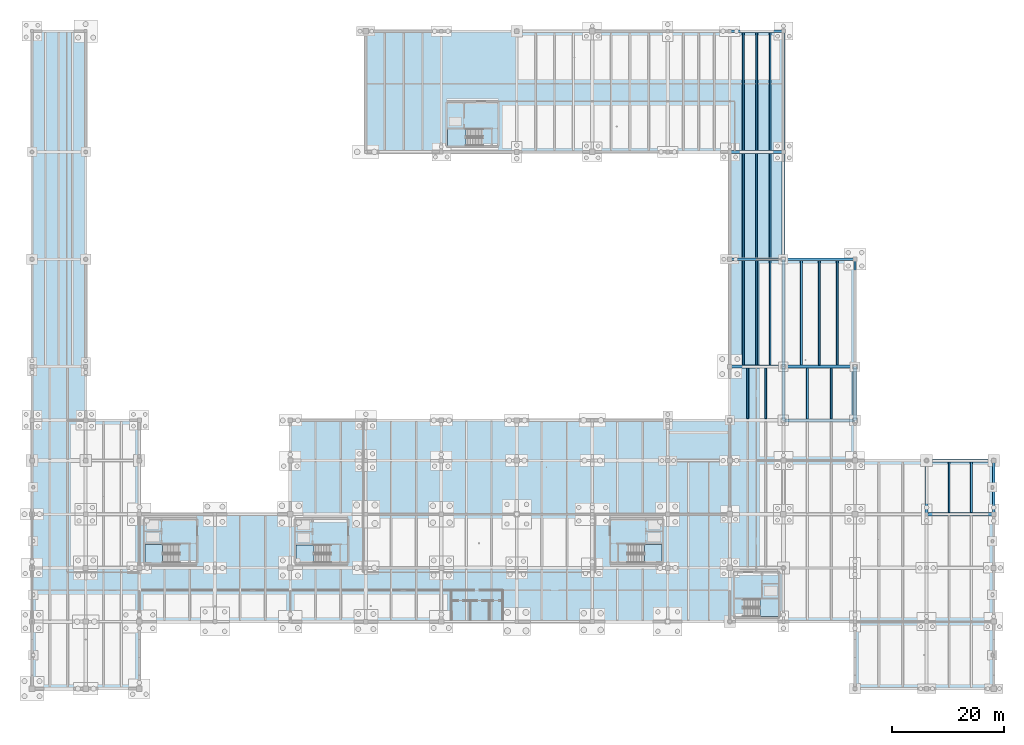
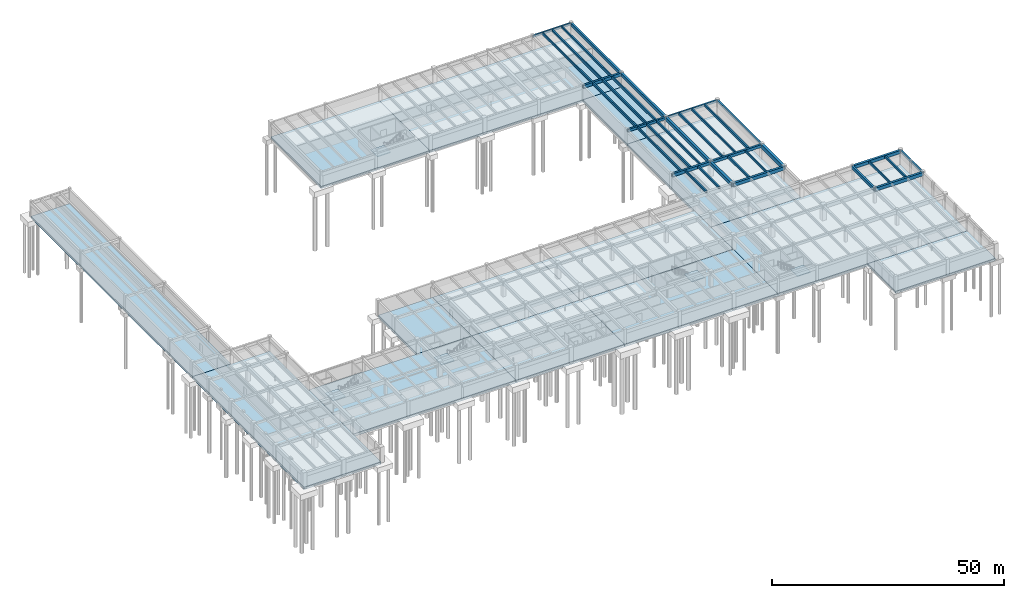
# One storey, part 13 of 41: 35 beams, 19 slabs, 5 elements without a shape of their own.
"""IFC4 building model written with IfcOpenShell, lengths in metres."""

from ifc_helpers import new_model, si_unit, direction, frame, origin, origin_2d, place, context, subcontext, project, spatial, polyline, rectangle, outline, extrude, material, layer, layer_set, material_profile, profile_set, type_object, element, aggregate, save


model = new_model("IFC4")

# Units and contexts
model_context = context("Model", 3, precision=1e-05, world=origin(), true_north=direction((0.0, 1.0)))
body_context = subcontext(model_context, "Body", "Model", "MODEL_VIEW")
ifc_project = project(units=[si_unit("LENGTHUNIT", "METRE"), si_unit("AREAUNIT", "SQUARE_METRE"), si_unit("VOLUMEUNIT", "CUBIC_METRE"), si_unit("PLANEANGLEUNIT", "RADIAN"), si_unit("MASSUNIT", "GRAM", prefix="KILO")], contexts=[model_context])

# Site, building, storey
site_placement = place(None, origin())
site = spatial("IfcSite", under=ifc_project, at=site_placement, CompositionType="ELEMENT")
building_placement = place(site_placement, origin())
building = spatial("IfcBuilding", under=site, at=building_placement, Name="Fikremerkos Civic Library", CompositionType="ELEMENT")
storey_placement = place(building_placement, frame((0.0, 0.0, -8.39990234375)))
storey = spatial("IfcBuildingStorey", under=building, at=storey_placement, Name="B02", CompositionType="ELEMENT", Elevation=-8.39990234375)

# Beams
ifc_material_1 = material(Name="Concrete C40/50", Category="concrete")
ifc_material_profile_1 = material_profile(ifc_material_1, rectangle(XDim=0.35009765625, YDim=0.60009765625, at=origin_2d()), Name="RC 350x600")
ifc_profile_set_1 = profile_set([ifc_material_profile_1], Name="Concrete C40/50")
beam_type_1 = type_object("IfcBeamType", Name="Floor joist JS-01 RC 350x600", PredefinedType="JOIST", material=ifc_profile_set_1)
beam_1_placement = place(storey_placement, frame((131.199951171875, 48.300048828125, 3.599853515625), z_axis=(0.0, 1.0, 0.0), x_axis=(-1.0, 0.0, 0.0)))
element("IfcBeam", 1, at=beam_1_placement, inside=storey, type_object=beam_type_1, Name="Floor joist JS-01 B02 #99", PredefinedType="JOIST", context=body_context, shape_type="SweptSolid", body=[
    extrude(rectangle(XDim=0.35009765625, YDim=0.60009765625, at=origin_2d()), origin(), (0.0, 0.0, 1.0), 9.050048828125),
])
beam_2_placement = place(storey_placement, frame((129.60009765625, 57.85009765625, 3.599853515625), z_axis=(0.0, 1.0, 0.0), x_axis=(-1.0, 0.0, 0.0)))
element("IfcBeam", 2, at=beam_2_placement, inside=storey, type_object=beam_type_1, Name="Floor joist JS-01 B02 #101", PredefinedType="JOIST", context=body_context, shape_type="SweptSolid", body=[
    extrude(rectangle(XDim=0.35009765625, YDim=0.60009765625, at=origin_2d()), origin(), (0.0, 0.0, 1.0), 18.724853515625),
])
for number, where, z_axis, x_axis, name in (
    (3, (127.199951171875, 77.02490234375, 3.619873046875), (0.0, 1.0, 0.0), (-1.0, 0.0, 0.0), "Floor joist JS-01 B02 #103"),
    (4, (132.0, 77.02490234375, 3.619873046875), (0.0, 1.0, 0.0), (-1.0, 0.0, 0.0), "Floor joist JS-01 B02 #105"),
):
    element("IfcBeam", number, at=place(storey_placement, frame(where, z_axis=z_axis, x_axis=x_axis)), inside=storey, type_object=beam_type_1, Name=name, PredefinedType="JOIST", context=body_context, shape_type="SweptSolid", body=[
        extrude(rectangle(XDim=0.35009765625, YDim=0.60009765625, at=origin_2d()), origin(), (0.0, 0.0, 1.0), 18.72509765625),
    ])
beam_3_placement = place(storey_placement, frame((129.60009765625, 96.25, 3.599853515625), z_axis=(0.0, 1.0, 0.0), x_axis=(-1.0, 0.0, 0.0)))
element("IfcBeam", 5, at=beam_3_placement, inside=storey, type_object=beam_type_1, Name="Floor joist JS-01 B02 #107", PredefinedType="JOIST", context=body_context, shape_type="SweptSolid", body=[
    extrude(rectangle(XDim=0.35009765625, YDim=0.60009765625, at=origin_2d()), origin(), (0.0, 0.0, 1.0), 21.14990234375),
])
beam_4_placement = place(storey_placement, frame((138.666748046875, 48.27490234375, 3.599853515625), z_axis=(0.0, 1.0, 0.0), x_axis=(-1.0, 0.0, 0.0)))
element("IfcBeam", 6, at=beam_4_placement, inside=storey, type_object=beam_type_1, Name="Floor joist JS-01 B02 #117", PredefinedType="JOIST", context=body_context, shape_type="SweptSolid", body=[
    extrude(rectangle(XDim=0.35009765625, YDim=0.60009765625, at=origin_2d()), origin(), (0.0, 0.0, 1.0), 9.0751953125),
])
for number, where, z_axis, x_axis, name in (
    (7, (137.60009765625, 57.85009765625, 3.599853515625), (0.0, 1.0, 0.0), (-1.0, 0.0, 0.0), "Floor joist JS-01 B02 #119"),
    (8, (144.0, 57.85009765625, 3.599853515625), (0.0, 1.0, 0.0), (-1.0, 0.0, 0.0), "Floor joist JS-01 B02 #121"),
):
    element("IfcBeam", number, at=place(storey_placement, frame(where, z_axis=z_axis, x_axis=x_axis)), inside=storey, type_object=beam_type_1, Name=name, PredefinedType="JOIST", context=body_context, shape_type="SweptSolid", body=[
        extrude(rectangle(XDim=0.35009765625, YDim=0.60009765625, at=origin_2d()), origin(), (0.0, 0.0, 1.0), 18.75),
    ])
beam_5_placement = place(storey_placement, frame((168.0, 31.47509765625, 3.579833984375), z_axis=(0.0, 1.0, 0.0), x_axis=(-1.0, 0.0, 0.0)))
element("IfcBeam", 9, at=beam_5_placement, inside=storey, type_object=beam_type_1, Name="Floor joist JS-01 B02 #137", PredefinedType="JOIST", context=body_context, shape_type="SweptSolid", body=[
    extrude(rectangle(XDim=0.35009765625, YDim=0.60009765625, at=origin_2d()), origin(), (0.0, 0.0, 1.0), 9.0498046875),
])
ifc_material_profile_2 = material_profile(ifc_material_1, rectangle(XDim=0.320068359375, YDim=0.550048828125, at=origin_2d()), Name="RC 320x550")
ifc_profile_set_2 = profile_set([ifc_material_profile_2], Name="Concrete C40/50")
beam_type_2 = type_object("IfcBeamType", Name="Floor joist JS-02 RC 320x550", PredefinedType="JOIST", material=ifc_profile_set_2)
beam_6_placement = place(storey_placement, frame((128.0, 48.300048828125, 3.625), z_axis=(0.0, 1.0, 0.0), x_axis=(-1.0, 0.0, 0.0)))
element("IfcBeam", 10, at=beam_6_placement, inside=storey, type_object=beam_type_2, Name="Floor joist JS-02 B02 #98", PredefinedType="JOIST", context=body_context, shape_type="SweptSolid", body=[
    extrude(rectangle(XDim=0.320068359375, YDim=0.550048828125, at=origin_2d()), origin(), (0.0, 0.0, 1.0), 9.050048828125),
])
for number, where, z_axis, x_axis, name in (
    (11, (127.199951171875, 57.85009765625, 3.625), (0.0, 1.0, 0.0), (-1.0, 0.0, 0.0), "Floor joist JS-02 B02 #100"),
    (12, (132.0, 57.85009765625, 3.625), (0.0, 1.0, 0.0), (-1.0, 0.0, 0.0), "Floor joist JS-02 B02 #102"),
):
    element("IfcBeam", number, at=place(storey_placement, frame(where, z_axis=z_axis, x_axis=x_axis)), inside=storey, type_object=beam_type_2, Name=name, PredefinedType="JOIST", context=body_context, shape_type="SweptSolid", body=[
        extrude(rectangle(XDim=0.320068359375, YDim=0.550048828125, at=origin_2d()), origin(), (0.0, 0.0, 1.0), 18.724853515625),
    ])
beam_7_placement = place(storey_placement, frame((129.60009765625, 77.02490234375, 3.64501953125), z_axis=(0.0, 1.0, 0.0), x_axis=(-1.0, 0.0, 0.0)))
element("IfcBeam", 13, at=beam_7_placement, inside=storey, type_object=beam_type_2, Name="Floor joist JS-02 B02 #104", PredefinedType="JOIST", context=body_context, shape_type="SweptSolid", body=[
    extrude(rectangle(XDim=0.320068359375, YDim=0.550048828125, at=origin_2d()), origin(), (0.0, 0.0, 1.0), 18.72509765625),
])
for number, where, z_axis, x_axis, name in (
    (14, (127.199951171875, 96.25, 3.625), (0.0, 1.0, 0.0), (-1.0, 0.0, 0.0), "Floor joist JS-02 B02 #106"),
    (15, (132.0, 96.25, 3.625), (0.0, 1.0, 0.0), (-1.0, 0.0, 0.0), "Floor joist JS-02 B02 #108"),
):
    element("IfcBeam", number, at=place(storey_placement, frame(where, z_axis=z_axis, x_axis=x_axis)), inside=storey, type_object=beam_type_2, Name=name, PredefinedType="JOIST", context=body_context, shape_type="SweptSolid", body=[
        extrude(rectangle(XDim=0.320068359375, YDim=0.550048828125, at=origin_2d()), origin(), (0.0, 0.0, 1.0), 21.14990234375),
    ])
beam_8_placement = place(storey_placement, frame((142.933349609375, 48.27490234375, 3.625), z_axis=(0.0, 1.0, 0.0), x_axis=(-1.0, 0.0, 0.0)))
element("IfcBeam", 16, at=beam_8_placement, inside=storey, type_object=beam_type_2, Name="Floor joist JS-02 B02 #118", PredefinedType="JOIST", context=body_context, shape_type="SweptSolid", body=[
    extrude(rectangle(XDim=0.320068359375, YDim=0.550048828125, at=origin_2d()), origin(), (0.0, 0.0, 1.0), 9.0751953125),
])
beam_9_placement = place(storey_placement, frame((140.800048828125, 57.85009765625, 3.625), z_axis=(0.0, 1.0, 0.0), x_axis=(-1.0, 0.0, 0.0)))
element("IfcBeam", 17, at=beam_9_placement, inside=storey, type_object=beam_type_2, Name="Floor joist JS-02 B02 #120", PredefinedType="JOIST", context=body_context, shape_type="SweptSolid", body=[
    extrude(rectangle(XDim=0.320068359375, YDim=0.550048828125, at=origin_2d()), origin(), (0.0, 0.0, 1.0), 18.75),
])
beam_10_placement = place(storey_placement, frame((164.0, 31.47509765625, 3.60498046875), z_axis=(0.0, 1.0, 0.0), x_axis=(-1.0, 0.0, 0.0)))
element("IfcBeam", 18, at=beam_10_placement, inside=storey, type_object=beam_type_2, Name="Floor joist JS-02 B02 #136", PredefinedType="JOIST", context=body_context, shape_type="SweptSolid", body=[
    extrude(rectangle(XDim=0.320068359375, YDim=0.550048828125, at=origin_2d()), origin(), (0.0, 0.0, 1.0), 9.0498046875),
])
ifc_material_profile_3 = material_profile(ifc_material_1, rectangle(XDim=0.60009765625, YDim=0.949951171875, at=origin_2d()), Name="RC 600x950")
ifc_profile_set_3 = profile_set([ifc_material_profile_3], Name="Concrete C40/50")
beam_type_3 = type_object("IfcBeamType", Name="Primary girder BM-01 RC 600x950", PredefinedType="BEAM", material=ifc_profile_set_3)
beam_11_placement = place(storey_placement, frame((134.39990234375, 48.0, 3.4248046875), z_axis=(0.0, 1.0, 0.0), x_axis=(-1.0, 0.0, 0.0)))
element("IfcBeam", 19, at=beam_11_placement, inside=storey, type_object=beam_type_3, Name="Primary girder BM-01 B02 grid 12", PredefinedType="BEAM", context=body_context, shape_type="SweptSolid", body=[
    extrude(rectangle(XDim=0.60009765625, YDim=0.949951171875, at=origin_2d()), origin(), (0.0, 0.0, 1.0), 9.60009765625),
])
ifc_material_profile_4 = material_profile(ifc_material_1, rectangle(XDim=0.550048828125, YDim=0.89990234375, at=origin_2d()), Name="RC 550x900")
ifc_profile_set_4 = profile_set([ifc_material_profile_4], Name="Concrete C40/50")
beam_type_4 = type_object("IfcBeamType", Name="Primary girder BM-02 RC 550x900", PredefinedType="BEAM", material=ifc_profile_set_4)
beam_12_placement = place(storey_placement, frame((160.0, 31.199951171875, 3.429931640625), z_axis=(1.0, 0.0, 0.0), x_axis=(0.0, 1.0, 0.0)))
element("IfcBeam", 20, at=beam_12_placement, inside=storey, type_object=beam_type_4, Name="Primary girder BM-02 B02 grid G", PredefinedType="BEAM", context=body_context, shape_type="SweptSolid", body=[
    extrude(rectangle(XDim=0.550048828125, YDim=0.89990234375, at=origin_2d()), origin(), (0.0, 0.0, 1.0), 12.0),
])
beam_13_placement = place(storey_placement, frame((134.39990234375, 48.0, 3.449951171875), z_axis=(1.0, 0.0, 0.0), x_axis=(0.0, 1.0, 0.0)))
element("IfcBeam", 21, at=beam_13_placement, inside=storey, type_object=beam_type_4, Name="Primary girder BM-02 B02 grid J", PredefinedType="BEAM", context=body_context, shape_type="SweptSolid", body=[
    extrude(rectangle(XDim=0.550048828125, YDim=0.89990234375, at=origin_2d()), origin(), (0.0, 0.0, 1.0), 12.800048828125),
])
beam_14_placement = place(storey_placement, frame((134.39990234375, 57.60009765625, 3.449951171875), z_axis=(0.0, 1.0, 0.0), x_axis=(-1.0, 0.0, 0.0)))
element("IfcBeam", 22, at=beam_14_placement, inside=storey, type_object=beam_type_4, Name="Primary girder BM-02 B02 grid 12", PredefinedType="BEAM", context=body_context, shape_type="SweptSolid", body=[
    extrude(rectangle(XDim=0.550048828125, YDim=0.89990234375, at=origin_2d()), origin(), (0.0, 0.0, 1.0), 19.199951171875),
])
ifc_material_profile_5 = material_profile(ifc_material_1, rectangle(XDim=0.550048828125, YDim=0.85009765625, at=origin_2d()), Name="RC 550x850")
ifc_profile_set_5 = profile_set([ifc_material_profile_5], Name="Concrete C40/50")
beam_type_5 = type_object("IfcBeamType", Name="Primary girder BM-03 RC 550x850", PredefinedType="BEAM", material=ifc_profile_set_5)
beam_15_placement = place(storey_placement, frame((160.0, 40.800048828125, 3.454833984375), z_axis=(1.0, 0.0, 0.0), x_axis=(0.0, 1.0, 0.0)))
element("IfcBeam", 23, at=beam_15_placement, inside=storey, type_object=beam_type_5, Name="Primary girder BM-03 B02 grid H", PredefinedType="BEAM", context=body_context, shape_type="SweptSolid", body=[
    extrude(rectangle(XDim=0.550048828125, YDim=0.85009765625, at=origin_2d()), origin(), (0.0, 0.0, 1.0), 12.0),
])
beam_16_placement = place(storey_placement, frame((134.39990234375, 76.800048828125, 3.494873046875), z_axis=(0.0, 1.0, 0.0), x_axis=(-1.0, 0.0, 0.0)))
element("IfcBeam", 24, at=beam_16_placement, inside=storey, type_object=beam_type_5, Name="Primary girder BM-03 B02 grid 12", PredefinedType="BEAM", context=body_context, shape_type="SweptSolid", body=[
    extrude(rectangle(XDim=0.550048828125, YDim=0.85009765625, at=origin_2d()), origin(), (0.0, 0.0, 1.0), 19.199951171875),
])
ifc_material_profile_6 = material_profile(ifc_material_1, rectangle(XDim=0.5, YDim=0.800048828125, at=origin_2d()), Name="RC 500x800")
ifc_profile_set_6 = profile_set([ifc_material_profile_6], Name="Concrete C40/50")
beam_type_6 = type_object("IfcBeamType", Name="Primary girder BM-04 RC 500x800", PredefinedType="BEAM", material=ifc_profile_set_6)
for number, where, z_axis, x_axis, name in (
    (25, (124.800048828125, 57.60009765625, 3.5), (1.0, 0.0, 0.0), (0.0, 1.0, 0.0), "Primary girder BM-04 B02 grid K"),
    (26, (124.800048828125, 96.0, 3.5), (1.0, 0.0, 0.0), (0.0, 1.0, 0.0), "Primary girder BM-04 B02 grid M"),
):
    element("IfcBeam", number, at=place(storey_placement, frame(where, z_axis=z_axis, x_axis=x_axis)), inside=storey, type_object=beam_type_6, Name=name, PredefinedType="BEAM", context=body_context, shape_type="SweptSolid", body=[
        extrude(rectangle(XDim=0.5, YDim=0.800048828125, at=origin_2d()), origin(), (0.0, 0.0, 1.0), 9.599853515625),
    ])
beam_17_placement = place(storey_placement, frame((134.39990234375, 96.0, 3.5), z_axis=(0.0, 1.0, 0.0), x_axis=(-1.0, 0.0, 0.0)))
element("IfcBeam", 27, at=beam_17_placement, inside=storey, type_object=beam_type_6, Name="Primary girder BM-04 B02 grid 12", PredefinedType="BEAM", context=body_context, shape_type="SweptSolid", body=[
    extrude(rectangle(XDim=0.5, YDim=0.800048828125, at=origin_2d()), origin(), (0.0, 0.0, 1.0), 21.60009765625),
])
beam_18_placement = place(storey_placement, frame((160.0, 31.199951171875, 3.47998046875), z_axis=(0.0, 1.0, 0.0), x_axis=(-1.0, 0.0, 0.0)))
element("IfcBeam", 28, at=beam_18_placement, inside=storey, type_object=beam_type_6, Name="Primary girder BM-04 B02 grid 14", PredefinedType="BEAM", context=body_context, shape_type="SweptSolid", body=[
    extrude(rectangle(XDim=0.5, YDim=0.800048828125, at=origin_2d()), origin(), (0.0, 0.0, 1.0), 9.60009765625),
])
ifc_material_profile_7 = material_profile(ifc_material_1, rectangle(XDim=0.5, YDim=0.75, at=origin_2d()), Name="RC 500x750")
ifc_profile_set_7 = profile_set([ifc_material_profile_7], Name="Concrete C40/50")
beam_type_7 = type_object("IfcBeamType", Name="Primary girder BM-05 RC 500x750", PredefinedType="BEAM", material=ifc_profile_set_7)
beam_19_placement = place(storey_placement, frame((134.39990234375, 57.60009765625, 3.52490234375), z_axis=(1.0, 0.0, 0.0), x_axis=(0.0, 1.0, 0.0)))
element("IfcBeam", 29, at=beam_19_placement, inside=storey, type_object=beam_type_7, Name="Primary girder BM-05 B02 grid K", PredefinedType="BEAM", context=body_context, shape_type="SweptSolid", body=[
    extrude(rectangle(XDim=0.5, YDim=0.75, at=origin_2d()), origin(), (0.0, 0.0, 1.0), 12.800048828125),
])
ifc_material_profile_8 = material_profile(ifc_material_1, rectangle(XDim=0.449951171875, YDim=0.64990234375, at=origin_2d()), Name="RC 450x650")
ifc_profile_set_8 = profile_set([ifc_material_profile_8], Name="Concrete C40/50")
beam_type_8 = type_object("IfcBeamType", Name="Primary girder BM-07 RC 450x650", PredefinedType="BEAM", material=ifc_profile_set_8)
beam_20_placement = place(storey_placement, frame((124.800048828125, 76.800048828125, 3.574951171875), z_axis=(1.0, 0.0, 0.0), x_axis=(0.0, 1.0, 0.0)))
element("IfcBeam", 30, at=beam_20_placement, inside=storey, type_object=beam_type_8, Name="Primary girder BM-07 B02 grid L", PredefinedType="BEAM", context=body_context, shape_type="SweptSolid", body=[
    extrude(rectangle(XDim=0.449951171875, YDim=0.64990234375, at=origin_2d()), origin(), (0.0, 0.0, 1.0), 9.599853515625),
])
ifc_material_profile_9 = material_profile(ifc_material_1, rectangle(XDim=0.39990234375, YDim=0.60009765625, at=origin_2d()), Name="RC 400x600")
ifc_profile_set_9 = profile_set([ifc_material_profile_9], Name="Concrete C40/50")
beam_type_9 = type_object("IfcBeamType", Name="Primary girder BM-08 RC 400x600", PredefinedType="BEAM", material=ifc_profile_set_9)
beam_21_placement = place(storey_placement, frame((134.39990234375, 76.800048828125, 3.599853515625), z_axis=(1.0, 0.0, 0.0), x_axis=(0.0, 1.0, 0.0)))
element("IfcBeam", 31, at=beam_21_placement, inside=storey, type_object=beam_type_9, Name="Primary girder BM-08 B02 grid L", PredefinedType="BEAM", context=body_context, shape_type="SweptSolid", body=[
    extrude(rectangle(XDim=0.39990234375, YDim=0.60009765625, at=origin_2d()), origin(), (0.0, 0.0, 1.0), 12.800048828125),
])
beam_22_placement = place(storey_placement, frame((172.0, 31.199951171875, 3.579833984375), z_axis=(0.0, 1.0, 0.0), x_axis=(-1.0, 0.0, 0.0)))
element("IfcBeam", 32, at=beam_22_placement, inside=storey, type_object=beam_type_9, Name="Primary girder BM-08 B02 grid 15", PredefinedType="BEAM", context=body_context, shape_type="SweptSolid", body=[
    extrude(rectangle(XDim=0.39990234375, YDim=0.60009765625, at=origin_2d()), origin(), (0.0, 0.0, 1.0), 9.60009765625),
])
ifc_material_2 = material(Name="Concrete C45/55", Category="concrete")
ifc_material_profile_10 = material_profile(ifc_material_2, rectangle(XDim=0.64990234375, YDim=1.0, at=origin_2d()), Name="RC 650x1000")
ifc_profile_set_10 = profile_set([ifc_material_profile_10], Name="Concrete C45/55")
beam_type_10 = type_object("IfcBeamType", Name="Primary girder BM-25 RC 650x1000", PredefinedType="BEAM", material=ifc_profile_set_10)
beam_23_placement = place(storey_placement, frame((147.199951171875, 48.0, 3.39990234375), z_axis=(0.0, 1.0, 0.0), x_axis=(-1.0, 0.0, 0.0)))
element("IfcBeam", 33, at=beam_23_placement, inside=storey, type_object=beam_type_10, Name="Primary girder BM-25 B02 grid 13", PredefinedType="BEAM", context=body_context, shape_type="SweptSolid", body=[
    extrude(rectangle(XDim=0.64990234375, YDim=1.0, at=origin_2d()), origin(), (0.0, 0.0, 1.0), 9.60009765625),
])
ifc_material_profile_11 = material_profile(ifc_material_1, rectangle(XDim=0.39990234375, YDim=0.550048828125, at=origin_2d()), Name="RC 400x550")
ifc_profile_set_11 = profile_set([ifc_material_profile_11], Name="Concrete C40/50")
beam_type_11 = type_object("IfcBeamType", Name="Primary girder BM-26 RC 400x550", PredefinedType="BEAM", material=ifc_profile_set_11)
beam_24_placement = place(storey_placement, frame((124.800048828125, 117.60009765625, 3.625), z_axis=(1.0, 0.0, 0.0), x_axis=(0.0, 1.0, 0.0)))
element("IfcBeam", 34, at=beam_24_placement, inside=storey, type_object=beam_type_11, Name="Primary girder BM-26 B02 grid N", PredefinedType="BEAM", context=body_context, shape_type="SweptSolid", body=[
    extrude(rectangle(XDim=0.39990234375, YDim=0.550048828125, at=origin_2d()), origin(), (0.0, 0.0, 1.0), 9.599853515625),
])
beam_25_placement = place(storey_placement, frame((147.199951171875, 57.60009765625, 3.625), z_axis=(0.0, 1.0, 0.0), x_axis=(-1.0, 0.0, 0.0)))
element("IfcBeam", 35, at=beam_25_placement, inside=storey, type_object=beam_type_11, Name="Primary girder BM-26 B02 grid 13", PredefinedType="BEAM", context=body_context, shape_type="SweptSolid", body=[
    extrude(rectangle(XDim=0.39990234375, YDim=0.550048828125, at=origin_2d()), origin(), (0.0, 0.0, 1.0), 19.199951171875),
])

# Slabs
ifc_material_3 = material(Name="Concrete C35/45", Category="concrete")
ifc_layer_1 = layer(ifc_material_3, 0.699951171875, Name="Concrete C35/45")
ifc_layer_set_1 = layer_set([ifc_layer_1], Name="Concrete C35/45")
slab_type_1 = type_object("IfcSlabType", Name="Foundation base slab FBS-01 700", PredefinedType="BASESLAB", material=ifc_layer_set_1)
slab_1_placement = place(storey_placement, frame((0.0, 0.0, -0.7001953125)))
element("IfcSlab", 36, at=slab_1_placement, inside=storey, type_object=slab_type_1, Name="Base slab FBS-01 SLB-B02-V4-M-1", PredefinedType="BASESLAB", context=body_context, shape_type="SweptSolid", body=[
    extrude(outline(polyline([(19.199951171875, 12.0), (59.699951171875, 12.0), (59.699951171875, 31.199951171875), (19.199951171875, 31.199951171875), (19.199951171875, 12.0)])), origin(), (0.0, 0.0, 1.0), 0.7001953125),
])
slab_2_placement = place(storey_placement, frame((0.0, 0.0, -0.7001953125)))
element("IfcSlab", 37, at=slab_2_placement, inside=storey, type_object=slab_type_1, Name="Base slab FBS-01 SLB-B02-V4-M-2", PredefinedType="BASESLAB", context=body_context, shape_type="SweptSolid", body=[
    extrude(outline(polyline([(59.699951171875, 12.0), (86.699951171875, 12.0), (86.699951171875, 31.199951171875), (59.699951171875, 31.199951171875), (59.699951171875, 12.0)])), origin(), (0.0, 0.0, 1.0), 0.7001953125),
])
slab_3_placement = place(storey_placement, frame((0.0, 0.0, -0.7001953125)))
element("IfcSlab", 38, at=slab_3_placement, inside=storey, type_object=slab_type_1, Name="Base slab FBS-01 SLB-B02-V4-M-3", PredefinedType="BASESLAB", context=body_context, shape_type="SweptSolid", body=[
    extrude(outline(polyline([(86.699951171875, 12.0), (124.800048828125, 12.0), (124.800048828125, 31.199951171875), (86.699951171875, 31.199951171875), (86.699951171875, 12.0)])), origin(), (0.0, 0.0, 1.0), 0.7001953125),
])
ifc_layer_2 = layer(ifc_material_3, 0.64990234375, Name="Concrete C35/45")
ifc_layer_set_2 = layer_set([ifc_layer_2], Name="Concrete C35/45")
slab_type_2 = type_object("IfcSlabType", Name="Foundation base slab FBS-02 650", PredefinedType="BASESLAB", material=ifc_layer_set_2)
slab_4_placement = place(storey_placement, frame((0.0, 0.0, -0.650146484375)))
element("IfcSlab", 39, at=slab_4_placement, inside=storey, type_object=slab_type_2, Name="Base slab FBS-02 SLB-B02-V5-S-1", PredefinedType="BASESLAB", context=body_context, shape_type="SweptSolid", body=[
    extrude(outline(polyline([(0.0, 0.0), (19.199951171875, 0.0), (19.199951171875, 48.0), (0.0, 48.0), (0.0, 0.0)])), origin(), (0.0, 0.0, 1.0), 0.650146484375),
])
slab_5_placement = place(storey_placement, frame((0.0, 0.0, -0.650146484375)))
element("IfcSlab", 40, at=slab_5_placement, inside=storey, type_object=slab_type_2, Name="Base slab FBS-02 SLB-B02-V4-A-1", PredefinedType="BASESLAB", context=body_context, shape_type="SweptSolid", body=[
    extrude(outline(polyline([(46.199951171875, 31.199951171875), (59.699951171875, 31.199951171875), (59.699951171875, 48.0), (46.199951171875, 48.0), (46.199951171875, 31.199951171875)])), origin(), (0.0, 0.0, 1.0), 0.650146484375),
])
slab_6_placement = place(storey_placement, frame((0.0, 0.0, -0.650146484375)))
element("IfcSlab", 41, at=slab_6_placement, inside=storey, type_object=slab_type_2, Name="Base slab FBS-02 SLB-B02-V4-A-2", PredefinedType="BASESLAB", context=body_context, shape_type="SweptSolid", body=[
    extrude(outline(polyline([(59.699951171875, 31.199951171875), (86.699951171875, 31.199951171875), (86.699951171875, 48.0), (59.699951171875, 48.0), (59.699951171875, 31.199951171875)])), origin(), (0.0, 0.0, 1.0), 0.650146484375),
])
slab_7_placement = place(storey_placement, frame((0.0, 0.0, -0.650146484375)))
element("IfcSlab", 42, at=slab_7_placement, inside=storey, type_object=slab_type_2, Name="Base slab FBS-02 SLB-B02-V4-A-3", PredefinedType="BASESLAB", context=body_context, shape_type="SweptSolid", body=[
    extrude(outline(polyline([(86.699951171875, 31.199951171875), (124.800048828125, 31.199951171875), (124.800048828125, 48.0), (86.699951171875, 48.0), (86.699951171875, 31.199951171875)])), origin(), (0.0, 0.0, 1.0), 0.650146484375),
])
slab_8_placement = place(storey_placement, frame((0.0, 0.0, -0.650146484375)))
element("IfcSlab", 43, at=slab_8_placement, inside=storey, type_object=slab_type_2, Name="Base slab FBS-02 SLB-B02-V3-M-1", PredefinedType="BASESLAB", context=body_context, shape_type="SweptSolid", body=[
    extrude(outline(polyline([(124.800048828125, 12.0), (172.0, 12.0), (172.0, 40.800048828125), (124.800048828125, 40.800048828125), (124.800048828125, 12.0)])), origin(), (0.0, 0.0, 1.0), 0.650146484375),
])
ifc_layer_3 = layer(ifc_material_3, 0.60009765625, Name="Concrete C35/45")
ifc_layer_set_3 = layer_set([ifc_layer_3], Name="Concrete C35/45")
slab_type_3 = type_object("IfcSlabType", Name="Foundation base slab FBS-03 600", PredefinedType="BASESLAB", material=ifc_layer_set_3)
slab_9_placement = place(storey_placement, frame((0.0, 0.0, -0.60009765625)))
element("IfcSlab", 44, at=slab_9_placement, inside=storey, type_object=slab_type_3, Name="Base slab FBS-03 SLB-B02-V5-N-1", PredefinedType="BASESLAB", context=body_context, shape_type="SweptSolid", body=[
    extrude(outline(polyline([(0.0, 48.0), (9.60009765625, 48.0), (9.60009765625, 117.60009765625), (0.0, 117.60009765625), (0.0, 48.0)])), origin(), (0.0, 0.0, 1.0), 0.60009765625),
])
slab_10_placement = place(storey_placement, frame((0.0, 0.0, -0.60009765625)))
element("IfcSlab", 45, at=slab_10_placement, inside=storey, type_object=slab_type_3, Name="Base slab FBS-03 SLB-B02-V3-S-1", PredefinedType="BASESLAB", context=body_context, shape_type="SweptSolid", body=[
    extrude(outline(polyline([(147.199951171875, 0.0), (172.0, 0.0), (172.0, 12.0), (147.199951171875, 12.0), (147.199951171875, 0.0)])), origin(), (0.0, 0.0, 1.0), 0.60009765625),
])
slab_11_placement = place(storey_placement, frame((0.0, 0.0, -0.60009765625)))
element("IfcSlab", 46, at=slab_11_placement, inside=storey, type_object=slab_type_3, Name="Base slab FBS-03 SLB-B02-V3-N-1", PredefinedType="BASESLAB", context=body_context, shape_type="SweptSolid", body=[
    extrude(outline(polyline([(124.800048828125, 40.800048828125), (147.199951171875, 40.800048828125), (147.199951171875, 76.800048828125), (124.800048828125, 76.800048828125), (124.800048828125, 40.800048828125)])), origin(), (0.0, 0.0, 1.0), 0.60009765625),
])
slab_12_placement = place(storey_placement, frame((0.0, 0.0, -0.60009765625)))
element("IfcSlab", 47, at=slab_12_placement, inside=storey, type_object=slab_type_3, Name="Base slab FBS-03 SLB-B02-V2-L-1", PredefinedType="BASESLAB", context=body_context, shape_type="SweptSolid", body=[
    extrude(outline(polyline([(124.800048828125, 76.800048828125), (134.39990234375, 76.800048828125), (134.39990234375, 96.0), (124.800048828125, 96.0), (124.800048828125, 76.800048828125)])), origin(), (0.0, 0.0, 1.0), 0.60009765625),
])
slab_13_placement = place(storey_placement, frame((0.0, 0.0, -0.60009765625)))
element("IfcSlab", 48, at=slab_13_placement, inside=storey, type_object=slab_type_3, Name="Base slab FBS-03 SLB-B02-V2-P-1", PredefinedType="BASESLAB", context=body_context, shape_type="SweptSolid", body=[
    extrude(outline(polyline([(59.699951171875, 96.0), (86.699951171875, 96.0), (86.699951171875, 117.60009765625), (59.699951171875, 117.60009765625), (59.699951171875, 96.0)])), origin(), (0.0, 0.0, 1.0), 0.60009765625),
])
slab_14_placement = place(storey_placement, frame((0.0, 0.0, -0.60009765625)))
element("IfcSlab", 49, at=slab_14_placement, inside=storey, type_object=slab_type_3, Name="Base slab FBS-03 SLB-B02-V2-P-2", PredefinedType="BASESLAB", context=body_context, shape_type="SweptSolid", body=[
    extrude(outline(polyline([(86.699951171875, 96.0), (134.39990234375, 96.0), (134.39990234375, 117.60009765625), (86.699951171875, 117.60009765625), (86.699951171875, 96.0)])), origin(), (0.0, 0.0, 1.0), 0.60009765625),
])

# Stair, slab
stair_type_1 = type_object("IfcStairType", Name="Half turn stair ST-HT-01 W1550 H4200", PredefinedType="HALF_TURN_STAIR", material=ifc_material_1)
stair_1_placement = place(storey_placement, origin())
stair_1 = element("IfcStair", 50, at=stair_1_placement, inside=storey, type_object=stair_type_1, Name="B02 ST-K1", PredefinedType="HALF_TURN_STAIR")
ifc_layer_4 = layer(ifc_material_1, 0.199951171875, Name="Concrete C40/50")
ifc_layer_set_4 = layer_set([ifc_layer_4], Name="Concrete C40/50")
slab_type_4 = type_object("IfcSlabType", Name="Stair landing slab SLS-01 200", PredefinedType="LANDING", material=ifc_layer_set_4)
slab_15_placement = place(storey_placement, frame((0.0, 0.0, 1.89990234375)))
slab_15 = element("IfcSlab", 51, at=slab_15_placement, type_object=slab_type_4, Name="ST-K1 landing 1", PredefinedType="LANDING", context=body_context, shape_type="SweptSolid", body=[
    extrude(outline(polyline([(23.3701171875, 25.800048828125), (20.199951171875, 25.800048828125), (20.199951171875, 22.5), (23.3701171875, 22.5), (23.3701171875, 25.800048828125)])), origin(), (0.0, 0.0, 1.0), 0.199951171875),
])
aggregate(stair_1, [slab_15])

stair_2_placement = place(storey_placement, origin())
stair_2 = element("IfcStair", 52, at=stair_2_placement, inside=storey, type_object=stair_type_1, Name="B02 ST-K2", PredefinedType="HALF_TURN_STAIR")
slab_16_placement = place(storey_placement, frame((0.0, 0.0, 1.89990234375)))
slab_16 = element("IfcSlab", 53, at=slab_16_placement, type_object=slab_type_4, Name="ST-K2 landing 1", PredefinedType="LANDING", context=body_context, shape_type="SweptSolid", body=[
    extrude(outline(polyline([(109.530029296875, 22.5), (112.699951171875, 22.5), (112.699951171875, 25.800048828125), (109.530029296875, 25.800048828125), (109.530029296875, 22.5)])), origin(), (0.0, 0.0, 1.0), 0.199951171875),
])
aggregate(stair_2, [slab_16])

stair_type_2 = type_object("IfcStairType", Name="Half turn stair ST-HT-04 W1500 H4200", PredefinedType="HALF_TURN_STAIR", material=ifc_material_1)
stair_3_placement = place(storey_placement, origin())
stair_3 = element("IfcStair", 54, at=stair_3_placement, inside=storey, type_object=stair_type_2, Name="B02 ST-K3", PredefinedType="HALF_TURN_STAIR")
slab_17_placement = place(storey_placement, frame((0.0, 0.0, 1.89990234375)))
slab_17 = element("IfcSlab", 55, at=slab_17_placement, type_object=slab_type_4, Name="ST-K3 landing 1", PredefinedType="LANDING", context=body_context, shape_type="SweptSolid", body=[
    extrude(outline(polyline([(50.419921875, 25.699951171875), (47.199951171875, 25.699951171875), (47.199951171875, 22.5), (50.419921875, 22.5), (50.419921875, 25.699951171875)])), origin(), (0.0, 0.0, 1.0), 0.199951171875),
])
aggregate(stair_3, [slab_17])

stair_type_3 = type_object("IfcStairType", Name="Half turn stair ST-HT-07 W1450 H4200", PredefinedType="HALF_TURN_STAIR", material=ifc_material_1)
stair_4_placement = place(storey_placement, origin())
stair_4 = element("IfcStair", 56, at=stair_4_placement, inside=storey, type_object=stair_type_3, Name="B02 ST-K4", PredefinedType="HALF_TURN_STAIR")
slab_18_placement = place(storey_placement, frame((0.0, 0.0, 1.89990234375)))
slab_18 = element("IfcSlab", 57, at=slab_18_placement, type_object=slab_type_4, Name="ST-K4 landing 1", PredefinedType="LANDING", context=body_context, shape_type="SweptSolid", body=[
    extrude(outline(polyline([(130.22998046875, 12.89990234375), (133.5, 12.89990234375), (133.5, 16.0), (130.22998046875, 16.0), (130.22998046875, 12.89990234375)])), origin(), (0.0, 0.0, 1.0), 0.199951171875),
])
aggregate(stair_4, [slab_18])

stair_type_4 = type_object("IfcStairType", Name="Half turn stair ST-HT-10 W1400 H4200", PredefinedType="HALF_TURN_STAIR", material=ifc_material_1)
stair_5_placement = place(storey_placement, origin())
stair_5 = element("IfcStair", 58, at=stair_5_placement, inside=storey, type_object=stair_type_4, Name="B02 ST-K5", PredefinedType="HALF_TURN_STAIR")
slab_19_placement = place(storey_placement, frame((0.0, 0.0, 1.89990234375)))
slab_19 = element("IfcSlab", 59, at=slab_19_placement, type_object=slab_type_4, Name="ST-K5 landing 1", PredefinedType="LANDING", context=body_context, shape_type="SweptSolid", body=[
    extrude(outline(polyline([(77.6201171875, 100.10009765625), (74.300048828125, 100.10009765625), (74.300048828125, 97.10009765625), (77.6201171875, 97.10009765625), (77.6201171875, 100.10009765625)])), origin(), (0.0, 0.0, 1.0), 0.199951171875),
])
aggregate(stair_5, [slab_19])

save(model, "model.ifc")
